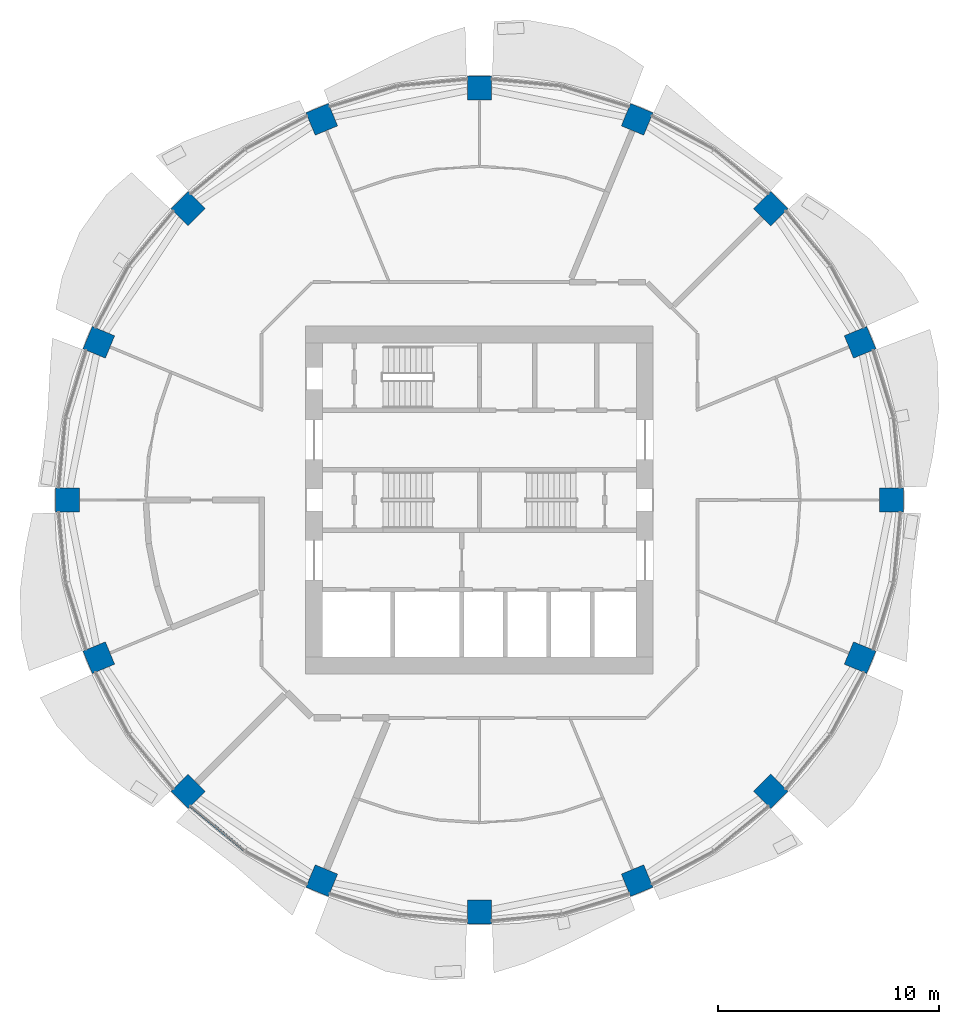
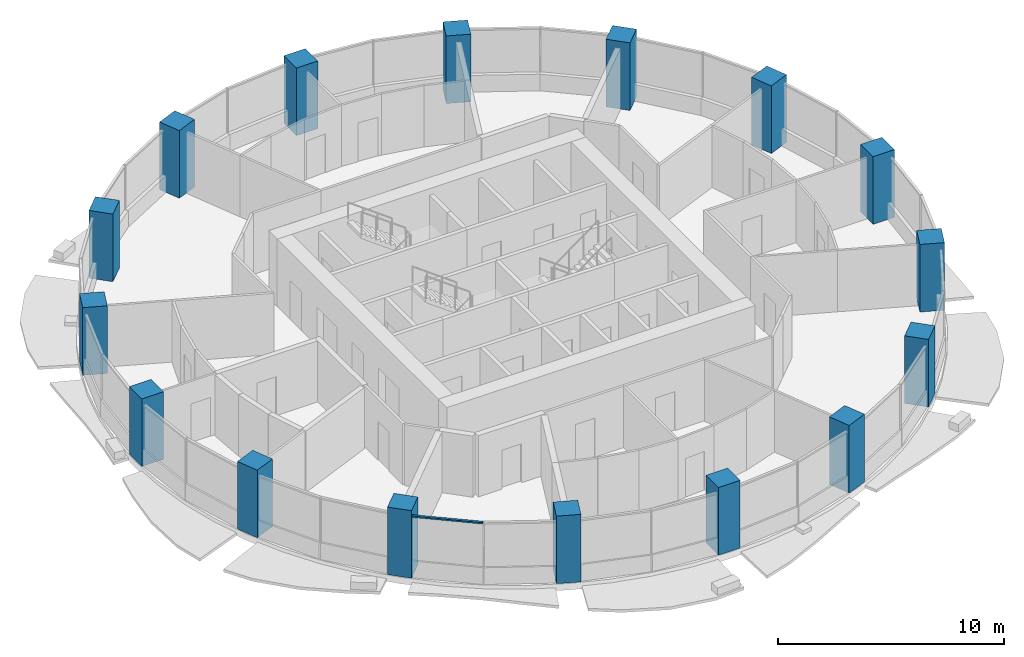
# One storey, part 1 of 14: 16 columns, 1 member, 1 element without a shape of its own.
"""IFC4 building model written with IfcOpenShell, lengths in metres."""

from ifc_helpers import new_model, si_unit, direction, frame, origin, origin_2d, place, context, subcontext, project, spatial, rectangle, extrude, material, material_profile, profile_set, type_object, element, aggregate, save


model = new_model("IFC4")

# Units and contexts
model_context = context("Model", 3, precision=1e-05, world=origin(), true_north=direction((0.0, 1.0)))
body_context = subcontext(model_context, "Body", "Model", "MODEL_VIEW")
ifc_project = project(units=[si_unit("LENGTHUNIT", "METRE"), si_unit("AREAUNIT", "SQUARE_METRE"), si_unit("VOLUMEUNIT", "CUBIC_METRE"), si_unit("PLANEANGLEUNIT", "RADIAN"), si_unit("MASSUNIT", "GRAM", prefix="KILO")], contexts=[model_context])

# Site, building, storey
site_placement = place(None, origin())
site = spatial("IfcSite", under=ifc_project, at=site_placement, CompositionType="ELEMENT")
building_placement = place(site_placement, origin())
building = spatial("IfcBuilding", under=site, at=building_placement, Name="Polderwave Tower", CompositionType="ELEMENT")
storey_placement = place(building_placement, frame((0.0, 0.0, 98.300048828125)))
storey = spatial("IfcBuildingStorey", under=building, at=storey_placement, Name="L25", CompositionType="ELEMENT", Elevation=98.300048828125)

# Columns
ifc_material_1 = material(Name="Concrete C70/85", Category="concrete")
ifc_material_profile_1 = material_profile(ifc_material_1, rectangle(XDim=1.10009765625, YDim=1.10009765625, at=origin_2d()), Name="RC 1100x1100")
ifc_profile_set_1 = profile_set([ifc_material_profile_1], Name="Concrete C70/85")
column_type = type_object("IfcColumnType", Name="RC COLUMN 1100x1100 C70/85", PredefinedType="COLUMN", material=ifc_profile_set_1)
for number, where, z_axis, x_axis, name in (
    (1, (18.669921875, 0.0, 0.0), (0.0, 0.0, 1.0), (1.0, 0.0, 0.0), "Ring column 01"),
    (2, (17.248779296875, 7.144775390625, 0.0), (0.0, 0.0, 1.0), (0.923879532511, 0.382683432365, 0.0), "Ring column 02"),
    (3, (13.20166015625, 13.20166015625, 0.0), (0.0, 0.0, 1.0), (0.707106781187, 0.707106781187, 0.0), "Ring column 03"),
    (4, (7.144775390625, 17.248779296875, 0.0), (0.0, 0.0, 1.0), (0.382683432365, 0.923879532511, 0.0), "Ring column 04"),
    (5, (0.0, 18.669921875, 0.0), (0.0, 0.0, 1.0), (0.0, 1.0, 0.0), "Ring column 05"),
    (6, (-7.144775390625, 17.248779296875, 0.0), (0.0, 0.0, 1.0), (-0.382683432365, 0.923879532511, 0.0), "Ring column 06"),
    (7, (-13.20166015625, 13.20166015625, 0.0), (0.0, 0.0, 1.0), (-0.707106781187, 0.707106781187, 0.0), "Ring column 07"),
    (8, (-17.248779296875, 7.144775390625, 0.0), (0.0, 0.0, 1.0), (-0.923879532511, 0.382683432365, 0.0), "Ring column 08"),
    (9, (-18.669921875, 0.0, 0.0), (0.0, 0.0, 1.0), (-1.0, 0.0, 0.0), "Ring column 09"),
    (10, (-17.248779296875, -7.144775390625, 0.0), (0.0, 0.0, 1.0), (-0.923879532511, -0.382683432365, 0.0), "Ring column 10"),
    (11, (-13.20166015625, -13.20166015625, 0.0), (0.0, 0.0, 1.0), (-0.707106781187, -0.707106781187, 0.0), "Ring column 11"),
    (12, (-7.144775390625, -17.248779296875, 0.0), (0.0, 0.0, 1.0), (-0.382683432365, -0.923879532511, 0.0), "Ring column 12"),
    (13, (0.0, -18.669921875, 0.0), (0.0, 0.0, 1.0), (0.0, -1.0, 0.0), "Ring column 13"),
    (14, (7.144775390625, -17.248779296875, 0.0), (0.0, 0.0, 1.0), (0.382683432365, -0.923879532511, 0.0), "Ring column 14"),
    (15, (13.20166015625, -13.20166015625, 0.0), (0.0, 0.0, 1.0), (0.707106781187, -0.707106781187, 0.0), "Ring column 15"),
    (16, (17.248779296875, -7.144775390625, 0.0), (0.0, 0.0, 1.0), (0.923879532511, -0.382683432365, 0.0), "Ring column 16"),
):
    element("IfcColumn", number, at=place(storey_placement, frame(where, z_axis=z_axis, x_axis=x_axis)), inside=storey, type_object=column_type, Name=name, PredefinedType="COLUMN", context=body_context, shape_type="SweptSolid", body=[
        extrude(rectangle(XDim=1.10009765625, YDim=1.10009765625, at=origin_2d()), origin(), (0.0, 0.0, 1.0), 3.64990234375),
    ])

# Curtain wall, member
ifc_material_2 = material(Name="Aluminium 6063-T6 and glass", Category="aluminium")
curtain_wall_type = type_object("IfcCurtainWallType", Name="Growing floor ribbon glazing wall", PredefinedType="NOTDEFINED", material=ifc_material_2)
curtain_wall_placement = place(storey_placement, origin())
curtain_wall = element("IfcCurtainWall", 17, at=curtain_wall_placement, inside=storey, type_object=curtain_wall_type, Name="CW2 L25 10", PredefinedType="NOTDEFINED")
ifc_material_3 = material(Name="Aluminium 6063-T6", Category="aluminium")
ifc_material_profile_2 = material_profile(ifc_material_3, rectangle(XDim=0.1201171875, YDim=0.080078125, at=origin_2d()), Name="AL 80x120")
ifc_profile_set_2 = profile_set([ifc_material_profile_2], Name="Aluminium 6063-T6")
member_type = type_object("IfcMemberType", Name="Growing floor ribbon glazing transom 80x120", PredefinedType="USERDEFINED", material=ifc_profile_set_2)
member_placement = place(storey_placement, frame((-13.093017578125, -13.8701171875, 3.260009765625), z_axis=(0.772891039712, -0.634538762198, 0.0), x_axis=(0.634538762198, 0.772891039712, 0.0)))
member = element("IfcMember", 18, at=member_placement, type_object=member_type, Name="CW2 transom 1", ObjectType="TRANSOM", PredefinedType="USERDEFINED", context=body_context, shape_type="SweptSolid", body=[
    extrude(rectangle(XDim=0.1201171875, YDim=0.080078125, at=origin_2d()), origin(), (0.0, 0.0, 1.0), 3.165771484375),
])
aggregate(curtain_wall, [member])

save(model, "model.ifc")
